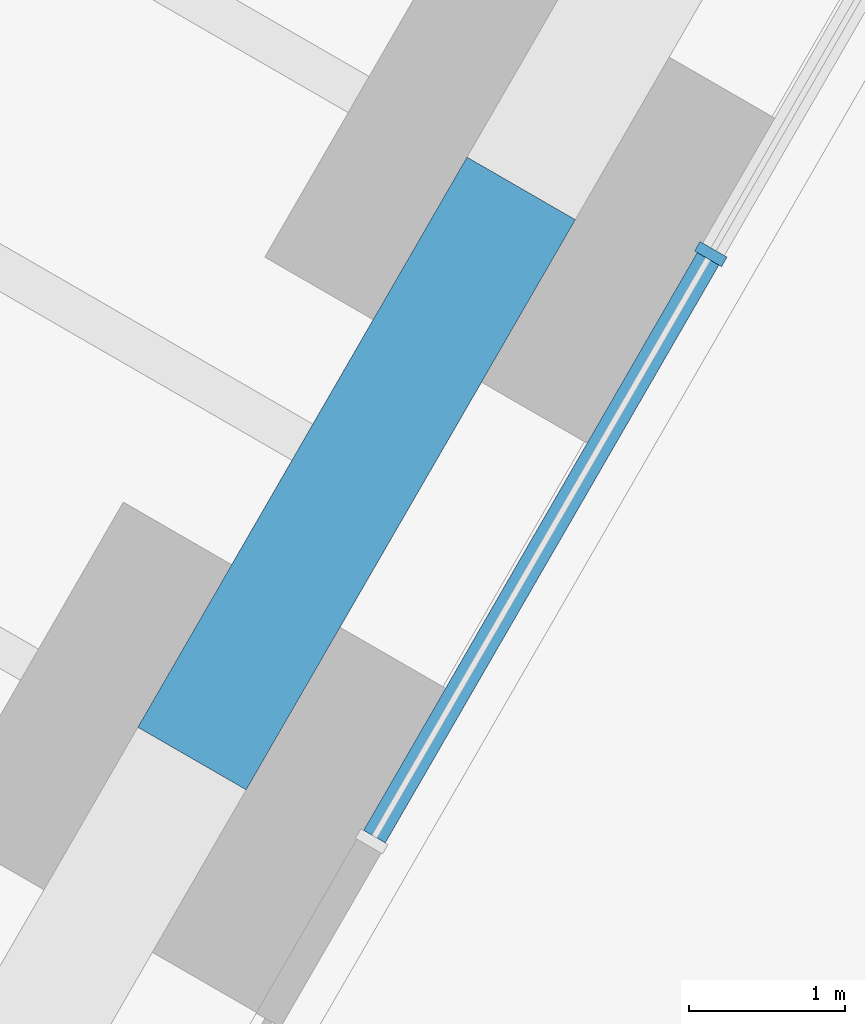
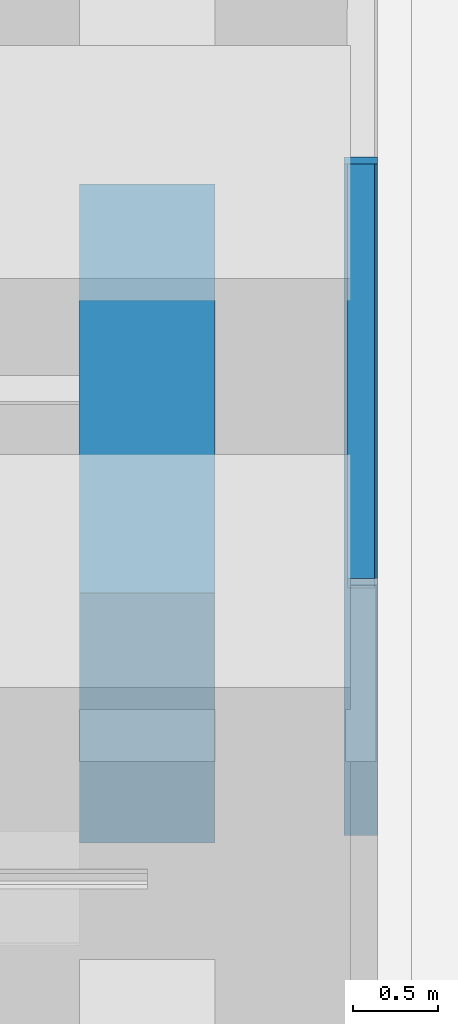
# One storey, part 4 of 20: 2 members, 1 beam, 1 element without a shape of its own.
"""IFC4 building model written with IfcOpenShell, lengths in metres."""

from ifc_helpers import new_model, si_unit, direction, frame, origin, origin_2d, place, context, subcontext, project, spatial, rectangle, extrude, material, material_profile, profile_set, type_object, element, aggregate, save


model = new_model("IFC4")

# Units and contexts
model_context = context("Model", 3, precision=1e-05, world=origin(), true_north=direction((0.0, 1.0)))
body_context = subcontext(model_context, "Body", "Model", "MODEL_VIEW")
ifc_project = project(units=[si_unit("LENGTHUNIT", "METRE"), si_unit("AREAUNIT", "SQUARE_METRE"), si_unit("VOLUMEUNIT", "CUBIC_METRE"), si_unit("PLANEANGLEUNIT", "RADIAN"), si_unit("MASSUNIT", "GRAM", prefix="KILO")], contexts=[model_context])

# Site, building, storey
site_placement = place(None, origin())
site = spatial("IfcSite", under=ifc_project, at=site_placement, CompositionType="ELEMENT")
building_placement = place(site_placement, origin())
building = spatial("IfcBuilding", under=site, at=building_placement, Name="Sandreach Pilgrim Tower", CompositionType="ELEMENT")
storey_placement = place(building_placement, frame((0.0, 0.0, 18.0)))
storey = spatial("IfcBuildingStorey", under=building, at=storey_placement, Name="L03", CompositionType="ELEMENT", Elevation=18.0)

# Curtain wall, members
ifc_material_1 = material(Name="Aluminium framed curtain wall", Category="aluminium")
curtain_wall_type = type_object("IfcCurtainWallType", Name="Podium storefront curtain wall", PredefinedType="NOTDEFINED", material=ifc_material_1)
curtain_wall_placement = place(storey_placement, origin())
curtain_wall = element("IfcCurtainWall", 1, at=curtain_wall_placement, inside=storey, type_object=curtain_wall_type, Name="CW-P L03 SEA", PredefinedType="NOTDEFINED")
ifc_material_2 = material(Name="Aluminium extrusion", Category="aluminium")
ifc_material_profile_1 = material_profile(ifc_material_2, rectangle(XDim=0.070068359375, YDim=0.199951171875, at=origin_2d()), Name="CW-PM 70X200")
ifc_profile_set_1 = profile_set([ifc_material_profile_1], Name="Aluminium extrusion")
member_type_1 = type_object("IfcMemberType", Name="CW-P mullion", PredefinedType="MULLION", material=ifc_profile_set_1)
member_1_placement = place(storey_placement, frame((24.018798828125, -6.29541015625, 0.0), z_axis=(0.0, 0.0, 1.0), x_axis=(-0.5, -0.866025403784, 0.0)))
member_1 = element("IfcMember", 2, at=member_1_placement, type_object=member_type_1, Name="CW-P mullion 4", PredefinedType="MULLION", context=body_context, shape_type="SweptSolid", body=[
    extrude(rectangle(XDim=0.070068359375, YDim=0.199951171875, at=origin_2d()), origin(), (0.0, 0.0, 1.0), 4.840087890625),
])
ifc_material_3 = material(Name="Aluminium extrusion", Category="aluminium")
ifc_material_profile_2 = material_profile(ifc_material_3, rectangle(XDim=0.159912109375, YDim=0.070068359375, at=origin_2d()), Name="CW-PT 160X70")
ifc_profile_set_2 = profile_set([ifc_material_profile_2], Name="Aluminium extrusion")
member_type_2 = type_object("IfcMemberType", Name="CW-P transom", PredefinedType="USERDEFINED", material=ifc_profile_set_2)
member_2_placement = place(storey_placement, frame((24.00146484375, -6.325927734375, 4.804931640625), z_axis=(-0.500016352561, -0.866015962423, 0.0), x_axis=(0.866015962423, -0.500016352561, 0.0)))
member_2 = element("IfcMember", 3, at=member_2_placement, type_object=member_type_2, Name="CW-P head transom 4", ObjectType="TRANSOM", PredefinedType="USERDEFINED", context=body_context, shape_type="SweptSolid", body=[
    extrude(rectangle(XDim=0.159912109375, YDim=0.070068359375, at=origin_2d()), origin(), (0.0, 0.0, 1.0), 4.266357421875),
])
aggregate(curtain_wall, [member_1, member_2])

# Beam
ifc_material_4 = material(Name="Concrete 10000 psi", Category="concrete")
ifc_material_profile_3 = material_profile(ifc_material_4, rectangle(XDim=0.800048828125, YDim=1.800048828125, at=origin_2d()), Name="RC800X1800")
ifc_profile_set_3 = profile_set([ifc_material_profile_3], Name="Concrete 10000 psi")
beam_type = type_object("IfcBeamType", Name="Spandrel beam RC800X1800", PredefinedType="SPANDREL", material=ifc_profile_set_3)
beam_placement = place(storey_placement, frame((22.806396484375, -5.87548828125, 3.93994140625), z_axis=(-0.499993523031, -0.866029143232, 0.0), x_axis=(0.866029143232, -0.499993523031, 0.0)))
element("IfcBeam", 4, at=beam_placement, inside=storey, type_object=beam_type, Name="BM L03 SP16", PredefinedType="SPANDREL", context=body_context, shape_type="SweptSolid", body=[
    extrude(rectangle(XDim=0.800048828125, YDim=1.800048828125, at=origin_2d()), origin(), (0.0, 0.0, 1.0), 4.2099609375),
])

save(model, "model.ifc")
